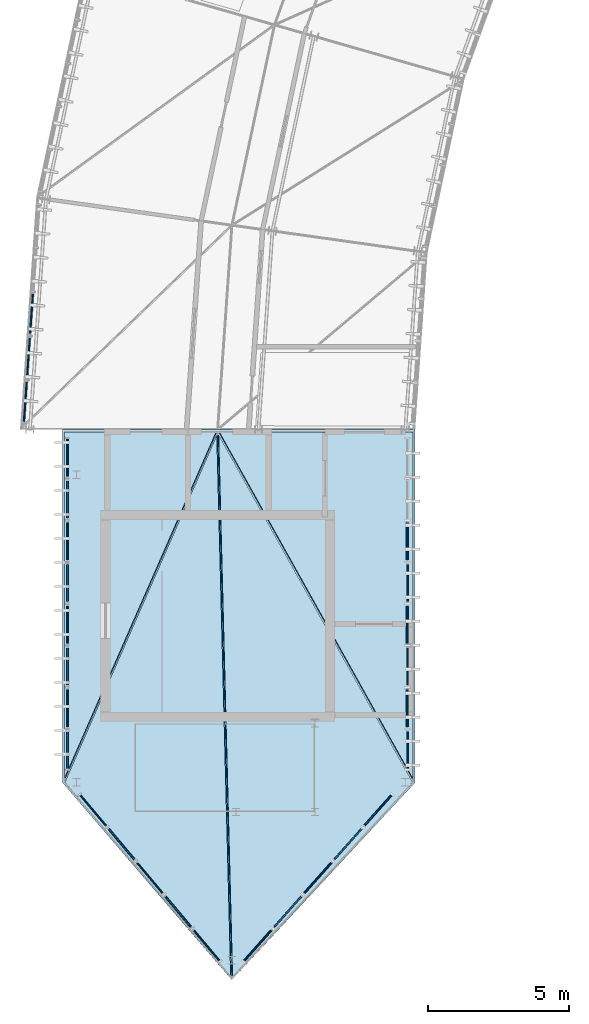
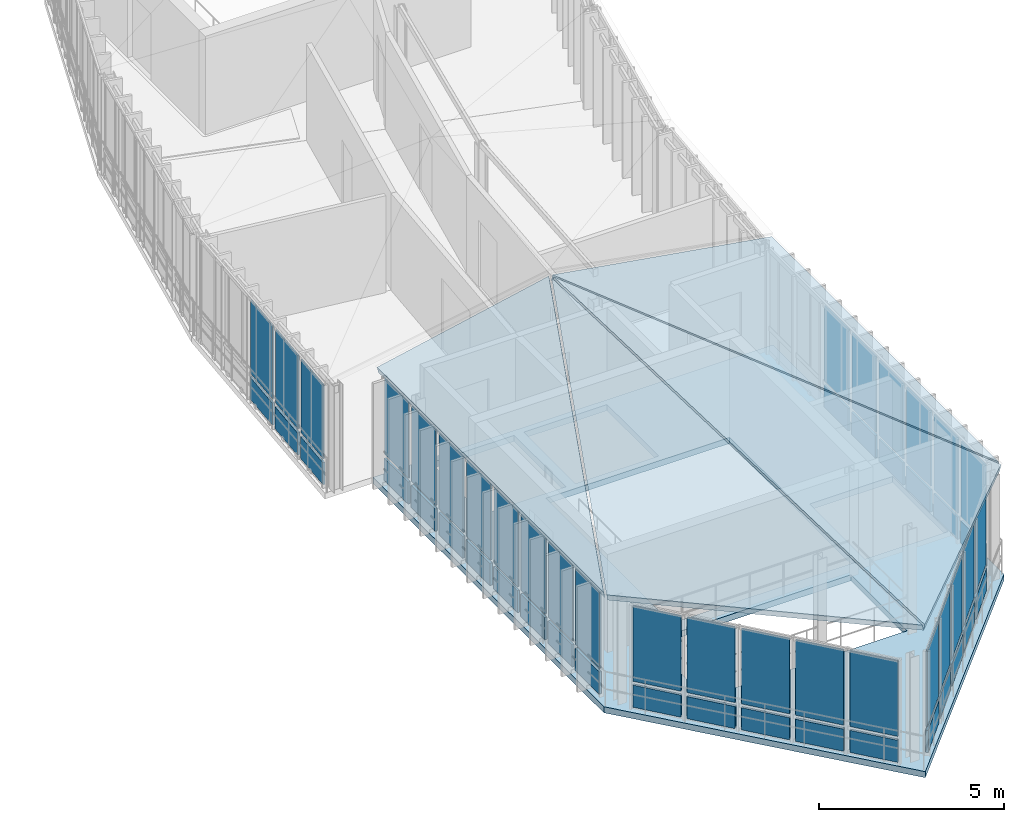
# One storey, part 6 of 18: 54 plates, 5 slabs, 5 elements without a shape of their own.
"""IFC4 building model written with IfcOpenShell, lengths in metres."""

from ifc_helpers import new_model, si_unit, direction, frame, origin, origin_2d, place, context, subcontext, project, spatial, polyline, rectangle, outline, extrude, material, layer, layer_set, type_object, element, aggregate, save


model = new_model("IFC4")

# Units and contexts
model_context = context("Model", 3, precision=1e-05, world=origin(), true_north=direction((0.0, 1.0)))
body_context = subcontext(model_context, "Body", "Model", "MODEL_VIEW")
ifc_project = project(units=[si_unit("LENGTHUNIT", "METRE"), si_unit("AREAUNIT", "SQUARE_METRE"), si_unit("VOLUMEUNIT", "CUBIC_METRE"), si_unit("PLANEANGLEUNIT", "RADIAN"), si_unit("MASSUNIT", "GRAM", prefix="KILO"), si_unit("THERMODYNAMICTEMPERATUREUNIT", "KELVIN"), si_unit("POWERUNIT", "WATT")], contexts=[model_context])

# Site, building, storey
site_placement = place(None, origin())
site = spatial("IfcSite", under=ifc_project, at=site_placement, CompositionType="ELEMENT")
building_placement = place(site_placement, origin())
building = spatial("IfcBuilding", under=site, at=building_placement, Name="Solvatero Civic Police Headquarters", CompositionType="ELEMENT")
storey_placement = place(building_placement, frame((0.0, 0.0, 29.39990234375)))
storey = spatial("IfcBuildingStorey", under=building, at=storey_placement, Name="L07", CompositionType="ELEMENT", Elevation=29.39990234375)

# Curtain wall, plates
ifc_material_1 = material(Name="Anodized Bronze Aluminium", Category="aluminium")
ifc_layer_1 = layer(ifc_material_1, 0.179931640625)
ifc_layer_set_1 = layer_set([ifc_layer_1], Name="Anodized Bronze Aluminium")
curtain_wall_type_1 = type_object("IfcCurtainWallType", Name="CW-ARC-OUT", PredefinedType="USERDEFINED", material=ifc_layer_set_1)
curtain_wall_1_placement = place(storey_placement, origin())
curtain_wall_1 = element("IfcCurtainWall", 1, at=curtain_wall_1_placement, inside=storey, type_object=curtain_wall_type_1, Name="Curtain Wall CW-R2-L07-ARC-OUT-B12", ObjectType="UNITISED", PredefinedType="USERDEFINED")
ifc_material_2 = material(Name="Triple Low-E Laminated Glass", Category="glass")
ifc_layer_2 = layer(ifc_material_2, 0.0380859375)
ifc_layer_set_2 = layer_set([ifc_layer_2], Name="Triple Low-E Laminated Glass")
plate_type_1 = type_object("IfcPlateType", Name="CWP-GLZ-38", PredefinedType="CURTAIN_PANEL", material=ifc_layer_set_2)
plate_1_placement = place(storey_placement, frame((35.406494140625, 30.097412109375, 0.909912109375), z_axis=(0.0, 0.0, 1.0), x_axis=(-0.069739062956, -0.997565267588, 0.0)))
plate_1 = element("IfcPlate", 2, at=plate_1_placement, type_object=plate_type_1, Name="CW-R2-L07-ARC-OUT-B12 Vision Glazing 3", PredefinedType="CURTAIN_PANEL", context=body_context, shape_type="SweptSolid", body=[
    extrude(rectangle(XDim=1.384521484375, YDim=0.0380859375, at=origin_2d()), origin(), (0.0, 0.0, 1.0), 2.42333984375),
])
plate_2_placement = place(storey_placement, frame((35.188232421875, 26.975830078125, 0.909912109375), z_axis=(0.0, 0.0, 1.0), x_axis=(-0.069739062956, -0.997565267588, 0.0)))
plate_2 = element("IfcPlate", 3, at=plate_2_placement, type_object=plate_type_1, Name="CW-R2-L07-ARC-OUT-B12 Vision Glazing 5", PredefinedType="CURTAIN_PANEL", context=body_context, shape_type="SweptSolid", body=[
    extrude(rectangle(XDim=1.384521484375, YDim=0.0380859375, at=origin_2d()), origin(), (0.0, 0.0, 1.0), 2.42333984375),
])

ifc_layer_3 = layer(ifc_material_1, 0.179931640625)
ifc_layer_set_3 = layer_set([ifc_layer_3], Name="Anodized Bronze Aluminium")
curtain_wall_type_2 = type_object("IfcCurtainWallType", Name="CW-PROW-GLZ", PredefinedType="USERDEFINED", material=ifc_layer_set_3)
curtain_wall_2_placement = place(storey_placement, origin())
curtain_wall_2 = element("IfcCurtainWall", 4, at=curtain_wall_2_placement, inside=storey, type_object=curtain_wall_type_2, Name="Curtain Wall CW-R2-L07-PROW-W", ObjectType="UNITISED", PredefinedType="USERDEFINED")
plate_3_placement = place(storey_placement, frame((36.679931640625, 25.00048828125, 0.91015625), z_axis=(0.0, 0.0, 1.0), x_axis=(0.0, -1.0, 0.0)))
plate_3 = element("IfcPlate", 5, at=plate_3_placement, type_object=plate_type_1, Name="CW-R2-L07-PROW-W Vision Glazing 1", PredefinedType="CURTAIN_PANEL", context=body_context, shape_type="SweptSolid", body=[
    extrude(rectangle(XDim=1.298583984375, YDim=0.0380859375, at=origin_2d()), origin(), (0.0, 0.0, 1.0), 2.489990234375),
])
plate_4_placement = place(storey_placement, frame((36.679931640625, 22.043212890625, 0.91015625), z_axis=(0.0, 0.0, 1.0), x_axis=(0.0, -1.0, 0.0)))
plate_4 = element("IfcPlate", 6, at=plate_4_placement, type_object=plate_type_1, Name="CW-R2-L07-PROW-W Vision Glazing 3", PredefinedType="CURTAIN_PANEL", context=body_context, shape_type="SweptSolid", body=[
    extrude(rectangle(XDim=1.298828125, YDim=0.0380859375, at=origin_2d()), origin(), (0.0, 0.0, 1.0), 2.489990234375),
])
plate_5_placement = place(storey_placement, frame((36.679931640625, 19.085693359375, 0.91015625), z_axis=(0.0, 0.0, 1.0), x_axis=(0.0, -1.0, 0.0)))
plate_5 = element("IfcPlate", 7, at=plate_5_placement, type_object=plate_type_1, Name="CW-R2-L07-PROW-W Vision Glazing 5", PredefinedType="CURTAIN_PANEL", context=body_context, shape_type="SweptSolid", body=[
    extrude(rectangle(XDim=1.298828125, YDim=0.0380859375, at=origin_2d()), origin(), (0.0, 0.0, 1.0), 2.489990234375),
])
plate_6_placement = place(storey_placement, frame((36.679931640625, 16.128173828125, 0.91015625), z_axis=(0.0, 0.0, 1.0), x_axis=(0.0, -1.0, 0.0)))
plate_6 = element("IfcPlate", 8, at=plate_6_placement, type_object=plate_type_1, Name="CW-R2-L07-PROW-W Vision Glazing 7", PredefinedType="CURTAIN_PANEL", context=body_context, shape_type="SweptSolid", body=[
    extrude(rectangle(XDim=1.298828125, YDim=0.0380859375, at=origin_2d()), origin(), (0.0, 0.0, 1.0), 2.489990234375),
])

curtain_wall_3_placement = place(storey_placement, origin())
curtain_wall_3 = element("IfcCurtainWall", 9, at=curtain_wall_3_placement, inside=storey, type_object=curtain_wall_type_2, Name="Curtain Wall CW-R2-L07-PROW-E", ObjectType="UNITISED", PredefinedType="USERDEFINED")
plate_7_placement = place(storey_placement, frame((48.719970703125, 16.128173828125, 0.91015625), z_axis=(0.0, 0.0, 1.0), x_axis=(0.0, 1.0, 0.0)))
plate_7 = element("IfcPlate", 10, at=plate_7_placement, type_object=plate_type_1, Name="CW-R2-L07-PROW-E Vision Glazing 2", PredefinedType="CURTAIN_PANEL", context=body_context, shape_type="SweptSolid", body=[
    extrude(rectangle(XDim=1.298583984375, YDim=0.0380859375, at=origin_2d()), origin(), (0.0, 0.0, 1.0), 2.489990234375),
])
plate_8_placement = place(storey_placement, frame((48.719970703125, 19.085693359375, 0.91015625), z_axis=(0.0, 0.0, 1.0), x_axis=(0.0, 1.0, 0.0)))
plate_8 = element("IfcPlate", 11, at=plate_8_placement, type_object=plate_type_1, Name="CW-R2-L07-PROW-E Vision Glazing 4", PredefinedType="CURTAIN_PANEL", context=body_context, shape_type="SweptSolid", body=[
    extrude(rectangle(XDim=1.298828125, YDim=0.0380859375, at=origin_2d()), origin(), (0.0, 0.0, 1.0), 2.489990234375),
])
plate_9_placement = place(storey_placement, frame((48.719970703125, 22.043212890625, 0.91015625), z_axis=(0.0, 0.0, 1.0), x_axis=(0.0, 1.0, 0.0)))
plate_9 = element("IfcPlate", 12, at=plate_9_placement, type_object=plate_type_1, Name="CW-R2-L07-PROW-E Vision Glazing 6", PredefinedType="CURTAIN_PANEL", context=body_context, shape_type="SweptSolid", body=[
    extrude(rectangle(XDim=1.298828125, YDim=0.0380859375, at=origin_2d()), origin(), (0.0, 0.0, 1.0), 2.489990234375),
])

curtain_wall_4_placement = place(storey_placement, origin())
curtain_wall_4 = element("IfcCurtainWall", 13, at=curtain_wall_4_placement, inside=storey, type_object=curtain_wall_type_2, Name="Curtain Wall CW-R2-L07-PROW-SW", ObjectType="UNITISED", PredefinedType="USERDEFINED")
plate_10_placement = place(storey_placement, frame((37.5908203125, 12.50634765625, 0.91015625), z_axis=(0.0, 0.0, 1.0), x_axis=(0.643282165541, -0.765629189293, 0.0)))
plate_10 = element("IfcPlate", 14, at=plate_10_placement, type_object=plate_type_1, Name="CW-R2-L07-PROW-SW Vision Glazing 1", PredefinedType="CURTAIN_PANEL", context=body_context, shape_type="SweptSolid", body=[
    extrude(rectangle(XDim=1.381591796875, YDim=0.0380859375, at=origin_2d()), origin(), (0.0, 0.0, 1.0), 2.489990234375),
])
plate_11_placement = place(storey_placement, frame((39.60009765625, 10.114990234375, 0.91015625), z_axis=(0.0, 0.0, 1.0), x_axis=(0.643282165541, -0.765629189293, 0.0)))
plate_11 = element("IfcPlate", 15, at=plate_11_placement, type_object=plate_type_1, Name="CW-R2-L07-PROW-SW Vision Glazing 3", PredefinedType="CURTAIN_PANEL", context=body_context, shape_type="SweptSolid", body=[
    extrude(rectangle(XDim=1.381591796875, YDim=0.0380859375, at=origin_2d()), origin(), (0.0, 0.0, 1.0), 2.489990234375),
])
plate_12_placement = place(storey_placement, frame((41.609130859375, 7.723876953125, 0.91015625), z_axis=(0.0, 0.0, 1.0), x_axis=(0.643282165541, -0.765629189293, 0.0)))
plate_12 = element("IfcPlate", 16, at=plate_12_placement, type_object=plate_type_1, Name="CW-R2-L07-PROW-SW Vision Glazing 5", PredefinedType="CURTAIN_PANEL", context=body_context, shape_type="SweptSolid", body=[
    extrude(rectangle(XDim=1.381591796875, YDim=0.0380859375, at=origin_2d()), origin(), (0.0, 0.0, 1.0), 2.489990234375),
])

curtain_wall_5_placement = place(storey_placement, origin())
curtain_wall_5 = element("IfcCurtainWall", 17, at=curtain_wall_5_placement, inside=storey, type_object=curtain_wall_type_2, Name="Curtain Wall CW-R2-L07-PROW-SE", ObjectType="UNITISED", PredefinedType="USERDEFINED")
plate_13_placement = place(storey_placement, frame((44.486083984375, 8.9189453125, 0.91015625), z_axis=(0.0, 0.0, 1.0), x_axis=(0.664656781592, 0.747148822313, 0.0)))
plate_13 = element("IfcPlate", 18, at=plate_13_placement, type_object=plate_type_1, Name="CW-R2-L07-PROW-SE Vision Glazing 2", PredefinedType="CURTAIN_PANEL", context=body_context, shape_type="SweptSolid", body=[
    extrude(rectangle(XDim=1.4208984375, YDim=0.0380859375, at=origin_2d()), origin(), (0.0, 0.0, 1.0), 2.489990234375),
])
plate_14_placement = place(storey_placement, frame((46.614013671875, 11.31103515625, 0.91015625), z_axis=(0.0, 0.0, 1.0), x_axis=(0.664656781592, 0.747148822313, 0.0)))
plate_14 = element("IfcPlate", 19, at=plate_14_placement, type_object=plate_type_1, Name="CW-R2-L07-PROW-SE Vision Glazing 4", PredefinedType="CURTAIN_PANEL", context=body_context, shape_type="SweptSolid", body=[
    extrude(rectangle(XDim=1.4208984375, YDim=0.0380859375, at=origin_2d()), origin(), (0.0, 0.0, 1.0), 2.489990234375),
])

# Plate
ifc_material_3 = material(Name="Acoustic Ballistic Laminated Glass", Category="glass")
ifc_layer_4 = layer(ifc_material_3, 0.0439453125)
ifc_layer_set_4 = layer_set([ifc_layer_4], Name="Acoustic Ballistic Laminated Glass")
plate_type_2 = type_object("IfcPlateType", Name="CWP-GLZ-44", PredefinedType="CURTAIN_PANEL", material=ifc_layer_set_4)
plate_15_placement = place(storey_placement, frame((35.29736328125, 28.53662109375, 0.909912109375), z_axis=(0.0, 0.0, 1.0), x_axis=(-0.069739062956, -0.997565267588, 0.0)))
plate_15 = element("IfcPlate", 20, at=plate_15_placement, type_object=plate_type_2, Name="CW-R2-L07-ARC-OUT-B12 Vision Glazing 4", PredefinedType="CURTAIN_PANEL", context=body_context, shape_type="SweptSolid", body=[
    extrude(rectangle(XDim=1.384521484375, YDim=0.0439453125, at=origin_2d()), origin(), (0.0, 0.0, 1.0), 2.42333984375),
])

plate_16_placement = place(storey_placement, frame((36.679931640625, 23.52197265625, 0.91015625), z_axis=(0.0, 0.0, 1.0), x_axis=(0.0, -1.0, 0.0)))
plate_16 = element("IfcPlate", 21, at=plate_16_placement, type_object=plate_type_2, Name="CW-R2-L07-PROW-W Vision Glazing 2", PredefinedType="CURTAIN_PANEL", context=body_context, shape_type="SweptSolid", body=[
    extrude(rectangle(XDim=1.298583984375, YDim=0.0439453125, at=origin_2d()), origin(), (0.0, 0.0, 1.0), 2.489990234375),
])

plate_17_placement = place(storey_placement, frame((36.679931640625, 20.564453125, 0.91015625), z_axis=(0.0, 0.0, 1.0), x_axis=(0.0, -1.0, 0.0)))
plate_17 = element("IfcPlate", 22, at=plate_17_placement, type_object=plate_type_2, Name="CW-R2-L07-PROW-W Vision Glazing 4", PredefinedType="CURTAIN_PANEL", context=body_context, shape_type="SweptSolid", body=[
    extrude(rectangle(XDim=1.298828125, YDim=0.0439453125, at=origin_2d()), origin(), (0.0, 0.0, 1.0), 2.489990234375),
])

plate_18_placement = place(storey_placement, frame((36.679931640625, 17.60693359375, 0.91015625), z_axis=(0.0, 0.0, 1.0), x_axis=(0.0, -1.0, 0.0)))
plate_18 = element("IfcPlate", 23, at=plate_18_placement, type_object=plate_type_2, Name="CW-R2-L07-PROW-W Vision Glazing 6", PredefinedType="CURTAIN_PANEL", context=body_context, shape_type="SweptSolid", body=[
    extrude(rectangle(XDim=1.298828125, YDim=0.0439453125, at=origin_2d()), origin(), (0.0, 0.0, 1.0), 2.489990234375),
])

plate_19_placement = place(storey_placement, frame((36.679931640625, 14.6494140625, 0.91015625), z_axis=(0.0, 0.0, 1.0), x_axis=(0.0, -1.0, 0.0)))
plate_19 = element("IfcPlate", 24, at=plate_19_placement, type_object=plate_type_2, Name="CW-R2-L07-PROW-W Vision Glazing 8", PredefinedType="CURTAIN_PANEL", context=body_context, shape_type="SweptSolid", body=[
    extrude(rectangle(XDim=1.298828125, YDim=0.0439453125, at=origin_2d()), origin(), (0.0, 0.0, 1.0), 2.489990234375),
])

plate_20_placement = place(storey_placement, frame((48.719970703125, 14.6494140625, 0.91015625), z_axis=(0.0, 0.0, 1.0), x_axis=(0.0, 1.0, 0.0)))
plate_20 = element("IfcPlate", 25, at=plate_20_placement, type_object=plate_type_2, Name="CW-R2-L07-PROW-E Vision Glazing 1", PredefinedType="CURTAIN_PANEL", context=body_context, shape_type="SweptSolid", body=[
    extrude(rectangle(XDim=1.298583984375, YDim=0.0439453125, at=origin_2d()), origin(), (0.0, 0.0, 1.0), 2.489990234375),
])

plate_21_placement = place(storey_placement, frame((48.719970703125, 17.60693359375, 0.91015625), z_axis=(0.0, 0.0, 1.0), x_axis=(0.0, 1.0, 0.0)))
plate_21 = element("IfcPlate", 26, at=plate_21_placement, type_object=plate_type_2, Name="CW-R2-L07-PROW-E Vision Glazing 3", PredefinedType="CURTAIN_PANEL", context=body_context, shape_type="SweptSolid", body=[
    extrude(rectangle(XDim=1.298828125, YDim=0.0439453125, at=origin_2d()), origin(), (0.0, 0.0, 1.0), 2.489990234375),
])

plate_22_placement = place(storey_placement, frame((48.719970703125, 20.564453125, 0.91015625), z_axis=(0.0, 0.0, 1.0), x_axis=(0.0, 1.0, 0.0)))
plate_22 = element("IfcPlate", 27, at=plate_22_placement, type_object=plate_type_2, Name="CW-R2-L07-PROW-E Vision Glazing 5", PredefinedType="CURTAIN_PANEL", context=body_context, shape_type="SweptSolid", body=[
    extrude(rectangle(XDim=1.298828125, YDim=0.0439453125, at=origin_2d()), origin(), (0.0, 0.0, 1.0), 2.489990234375),
])

plate_23_placement = place(storey_placement, frame((38.595458984375, 11.310791015625, 0.91015625), z_axis=(0.0, 0.0, 1.0), x_axis=(0.643282165541, -0.765629189293, 0.0)))
plate_23 = element("IfcPlate", 28, at=plate_23_placement, type_object=plate_type_2, Name="CW-R2-L07-PROW-SW Vision Glazing 2", PredefinedType="CURTAIN_PANEL", context=body_context, shape_type="SweptSolid", body=[
    extrude(rectangle(XDim=1.381591796875, YDim=0.0439453125, at=origin_2d()), origin(), (0.0, 0.0, 1.0), 2.489990234375),
])

plate_24_placement = place(storey_placement, frame((40.6044921875, 8.91943359375, 0.91015625), z_axis=(0.0, 0.0, 1.0), x_axis=(0.643282165541, -0.765629189293, 0.0)))
plate_24 = element("IfcPlate", 29, at=plate_24_placement, type_object=plate_type_2, Name="CW-R2-L07-PROW-SW Vision Glazing 4", PredefinedType="CURTAIN_PANEL", context=body_context, shape_type="SweptSolid", body=[
    extrude(rectangle(XDim=1.381591796875, YDim=0.0439453125, at=origin_2d()), origin(), (0.0, 0.0, 1.0), 2.489990234375),
])

plate_25_placement = place(storey_placement, frame((43.421875, 7.722900390625, 0.91015625), z_axis=(0.0, 0.0, 1.0), x_axis=(0.664656781592, 0.747148822313, 0.0)))
plate_25 = element("IfcPlate", 30, at=plate_25_placement, type_object=plate_type_2, Name="CW-R2-L07-PROW-SE Vision Glazing 1", PredefinedType="CURTAIN_PANEL", context=body_context, shape_type="SweptSolid", body=[
    extrude(rectangle(XDim=1.4208984375, YDim=0.0439453125, at=origin_2d()), origin(), (0.0, 0.0, 1.0), 2.489990234375),
])

plate_26_placement = place(storey_placement, frame((45.550048828125, 10.114990234375, 0.91015625), z_axis=(0.0, 0.0, 1.0), x_axis=(0.664656781592, 0.747148822313, 0.0)))
plate_26 = element("IfcPlate", 31, at=plate_26_placement, type_object=plate_type_2, Name="CW-R2-L07-PROW-SE Vision Glazing 3", PredefinedType="CURTAIN_PANEL", context=body_context, shape_type="SweptSolid", body=[
    extrude(rectangle(XDim=1.4208984375, YDim=0.0439453125, at=origin_2d()), origin(), (0.0, 0.0, 1.0), 2.489990234375),
])

plate_27_placement = place(storey_placement, frame((47.677978515625, 12.507080078125, 0.91015625), z_axis=(0.0, 0.0, 1.0), x_axis=(0.664656781592, 0.747148822313, 0.0)))
plate_27 = element("IfcPlate", 32, at=plate_27_placement, type_object=plate_type_2, Name="CW-R2-L07-PROW-SE Vision Glazing 5", PredefinedType="CURTAIN_PANEL", context=body_context, shape_type="SweptSolid", body=[
    extrude(rectangle(XDim=1.4208984375, YDim=0.0439453125, at=origin_2d()), origin(), (0.0, 0.0, 1.0), 2.489990234375),
])

ifc_material_4 = material(Name="Insulated Bronze Aluminium Spandrel", Category="aluminium")
ifc_layer_5 = layer(ifc_material_4, 0.06005859375)
ifc_layer_set_5 = layer_set([ifc_layer_5], Name="Insulated Bronze Aluminium Spandrel")
plate_type_3 = type_object("IfcPlateType", Name="CWP-SPN-60", PredefinedType="CURTAIN_PANEL", material=ifc_layer_set_5)
plate_28_placement = place(storey_placement, frame((35.406494140625, 30.097412109375, 0.06005859375), z_axis=(0.0, 0.0, 1.0), x_axis=(-0.069739062956, -0.997565267588, 0.0)))
plate_28 = element("IfcPlate", 33, at=plate_28_placement, type_object=plate_type_3, Name="CW-R2-L07-ARC-OUT-B12 Spandrel Panel 3", PredefinedType="CURTAIN_PANEL", context=body_context, shape_type="SweptSolid", body=[
    extrude(rectangle(XDim=1.384521484375, YDim=0.06005859375, at=origin_2d()), origin(), (0.0, 0.0, 1.0), 0.72998046875),
])

plate_29_placement = place(storey_placement, frame((35.188232421875, 26.975830078125, 0.06005859375), z_axis=(0.0, 0.0, 1.0), x_axis=(-0.069739062956, -0.997565267588, 0.0)))
plate_29 = element("IfcPlate", 34, at=plate_29_placement, type_object=plate_type_3, Name="CW-R2-L07-ARC-OUT-B12 Spandrel Panel 5", PredefinedType="CURTAIN_PANEL", context=body_context, shape_type="SweptSolid", body=[
    extrude(rectangle(XDim=1.384521484375, YDim=0.06005859375, at=origin_2d()), origin(), (0.0, 0.0, 1.0), 0.72998046875),
])

plate_30_placement = place(storey_placement, frame((36.679931640625, 25.00048828125, 0.06005859375), z_axis=(0.0, 0.0, 1.0), x_axis=(0.0, -1.0, 0.0)))
plate_30 = element("IfcPlate", 35, at=plate_30_placement, type_object=plate_type_3, Name="CW-R2-L07-PROW-W Spandrel Panel 1", PredefinedType="CURTAIN_PANEL", context=body_context, shape_type="SweptSolid", body=[
    extrude(rectangle(XDim=1.298583984375, YDim=0.06005859375, at=origin_2d()), origin(), (0.0, 0.0, 1.0), 0.72998046875),
])

plate_31_placement = place(storey_placement, frame((36.679931640625, 22.043212890625, 0.06005859375), z_axis=(0.0, 0.0, 1.0), x_axis=(0.0, -1.0, 0.0)))
plate_31 = element("IfcPlate", 36, at=plate_31_placement, type_object=plate_type_3, Name="CW-R2-L07-PROW-W Spandrel Panel 3", PredefinedType="CURTAIN_PANEL", context=body_context, shape_type="SweptSolid", body=[
    extrude(rectangle(XDim=1.298828125, YDim=0.06005859375, at=origin_2d()), origin(), (0.0, 0.0, 1.0), 0.72998046875),
])

plate_32_placement = place(storey_placement, frame((36.679931640625, 19.085693359375, 0.06005859375), z_axis=(0.0, 0.0, 1.0), x_axis=(0.0, -1.0, 0.0)))
plate_32 = element("IfcPlate", 37, at=plate_32_placement, type_object=plate_type_3, Name="CW-R2-L07-PROW-W Spandrel Panel 5", PredefinedType="CURTAIN_PANEL", context=body_context, shape_type="SweptSolid", body=[
    extrude(rectangle(XDim=1.298828125, YDim=0.06005859375, at=origin_2d()), origin(), (0.0, 0.0, 1.0), 0.72998046875),
])

plate_33_placement = place(storey_placement, frame((36.679931640625, 16.128173828125, 0.06005859375), z_axis=(0.0, 0.0, 1.0), x_axis=(0.0, -1.0, 0.0)))
plate_33 = element("IfcPlate", 38, at=plate_33_placement, type_object=plate_type_3, Name="CW-R2-L07-PROW-W Spandrel Panel 7", PredefinedType="CURTAIN_PANEL", context=body_context, shape_type="SweptSolid", body=[
    extrude(rectangle(XDim=1.298828125, YDim=0.06005859375, at=origin_2d()), origin(), (0.0, 0.0, 1.0), 0.72998046875),
])

plate_34_placement = place(storey_placement, frame((48.719970703125, 16.128173828125, 0.06005859375), z_axis=(0.0, 0.0, 1.0), x_axis=(0.0, 1.0, 0.0)))
plate_34 = element("IfcPlate", 39, at=plate_34_placement, type_object=plate_type_3, Name="CW-R2-L07-PROW-E Spandrel Panel 2", PredefinedType="CURTAIN_PANEL", context=body_context, shape_type="SweptSolid", body=[
    extrude(rectangle(XDim=1.298583984375, YDim=0.06005859375, at=origin_2d()), origin(), (0.0, 0.0, 1.0), 0.72998046875),
])

plate_35_placement = place(storey_placement, frame((48.719970703125, 19.085693359375, 0.06005859375), z_axis=(0.0, 0.0, 1.0), x_axis=(0.0, 1.0, 0.0)))
plate_35 = element("IfcPlate", 40, at=plate_35_placement, type_object=plate_type_3, Name="CW-R2-L07-PROW-E Spandrel Panel 4", PredefinedType="CURTAIN_PANEL", context=body_context, shape_type="SweptSolid", body=[
    extrude(rectangle(XDim=1.298828125, YDim=0.06005859375, at=origin_2d()), origin(), (0.0, 0.0, 1.0), 0.72998046875),
])

plate_36_placement = place(storey_placement, frame((48.719970703125, 22.043212890625, 0.06005859375), z_axis=(0.0, 0.0, 1.0), x_axis=(0.0, 1.0, 0.0)))
plate_36 = element("IfcPlate", 41, at=plate_36_placement, type_object=plate_type_3, Name="CW-R2-L07-PROW-E Spandrel Panel 6", PredefinedType="CURTAIN_PANEL", context=body_context, shape_type="SweptSolid", body=[
    extrude(rectangle(XDim=1.298828125, YDim=0.06005859375, at=origin_2d()), origin(), (0.0, 0.0, 1.0), 0.72998046875),
])

plate_37_placement = place(storey_placement, frame((37.5908203125, 12.50634765625, 0.06005859375), z_axis=(0.0, 0.0, 1.0), x_axis=(0.643282165541, -0.765629189293, 0.0)))
plate_37 = element("IfcPlate", 42, at=plate_37_placement, type_object=plate_type_3, Name="CW-R2-L07-PROW-SW Spandrel Panel 1", PredefinedType="CURTAIN_PANEL", context=body_context, shape_type="SweptSolid", body=[
    extrude(rectangle(XDim=1.381591796875, YDim=0.06005859375, at=origin_2d()), origin(), (0.0, 0.0, 1.0), 0.72998046875),
])

plate_38_placement = place(storey_placement, frame((39.60009765625, 10.114990234375, 0.06005859375), z_axis=(0.0, 0.0, 1.0), x_axis=(0.643282165541, -0.765629189293, 0.0)))
plate_38 = element("IfcPlate", 43, at=plate_38_placement, type_object=plate_type_3, Name="CW-R2-L07-PROW-SW Spandrel Panel 3", PredefinedType="CURTAIN_PANEL", context=body_context, shape_type="SweptSolid", body=[
    extrude(rectangle(XDim=1.381591796875, YDim=0.06005859375, at=origin_2d()), origin(), (0.0, 0.0, 1.0), 0.72998046875),
])

plate_39_placement = place(storey_placement, frame((41.609130859375, 7.723876953125, 0.06005859375), z_axis=(0.0, 0.0, 1.0), x_axis=(0.643282165541, -0.765629189293, 0.0)))
plate_39 = element("IfcPlate", 44, at=plate_39_placement, type_object=plate_type_3, Name="CW-R2-L07-PROW-SW Spandrel Panel 5", PredefinedType="CURTAIN_PANEL", context=body_context, shape_type="SweptSolid", body=[
    extrude(rectangle(XDim=1.381591796875, YDim=0.06005859375, at=origin_2d()), origin(), (0.0, 0.0, 1.0), 0.72998046875),
])

plate_40_placement = place(storey_placement, frame((44.486083984375, 8.9189453125, 0.06005859375), z_axis=(0.0, 0.0, 1.0), x_axis=(0.664656781592, 0.747148822313, 0.0)))
plate_40 = element("IfcPlate", 45, at=plate_40_placement, type_object=plate_type_3, Name="CW-R2-L07-PROW-SE Spandrel Panel 2", PredefinedType="CURTAIN_PANEL", context=body_context, shape_type="SweptSolid", body=[
    extrude(rectangle(XDim=1.4208984375, YDim=0.06005859375, at=origin_2d()), origin(), (0.0, 0.0, 1.0), 0.72998046875),
])

plate_41_placement = place(storey_placement, frame((46.614013671875, 11.31103515625, 0.06005859375), z_axis=(0.0, 0.0, 1.0), x_axis=(0.664656781592, 0.747148822313, 0.0)))
plate_41 = element("IfcPlate", 46, at=plate_41_placement, type_object=plate_type_3, Name="CW-R2-L07-PROW-SE Spandrel Panel 4", PredefinedType="CURTAIN_PANEL", context=body_context, shape_type="SweptSolid", body=[
    extrude(rectangle(XDim=1.4208984375, YDim=0.06005859375, at=origin_2d()), origin(), (0.0, 0.0, 1.0), 0.72998046875),
])

ifc_material_5 = material(Name="Limestone Veneer Spandrel Panel", Category="masonry")
ifc_layer_6 = layer(ifc_material_5, 0.074951171875)
ifc_layer_set_6 = layer_set([ifc_layer_6], Name="Limestone Veneer Spandrel Panel")
plate_type_4 = type_object("IfcPlateType", Name="CWP-SPN-75", PredefinedType="CURTAIN_PANEL", material=ifc_layer_set_6)
plate_42_placement = place(storey_placement, frame((35.29736328125, 28.53662109375, 0.06005859375), z_axis=(0.0, 0.0, 1.0), x_axis=(-0.069739062956, -0.997565267588, 0.0)))
plate_42 = element("IfcPlate", 47, at=plate_42_placement, type_object=plate_type_4, Name="CW-R2-L07-ARC-OUT-B12 Spandrel Panel 4", PredefinedType="CURTAIN_PANEL", context=body_context, shape_type="SweptSolid", body=[
    extrude(rectangle(XDim=1.384521484375, YDim=0.074951171875, at=origin_2d()), origin(), (0.0, 0.0, 1.0), 0.72998046875),
])

aggregate(curtain_wall_1, [plate_28, plate_1, plate_42, plate_15, plate_29, plate_2])

plate_43_placement = place(storey_placement, frame((36.679931640625, 23.52197265625, 0.06005859375), z_axis=(0.0, 0.0, 1.0), x_axis=(0.0, -1.0, 0.0)))
plate_43 = element("IfcPlate", 48, at=plate_43_placement, type_object=plate_type_4, Name="CW-R2-L07-PROW-W Spandrel Panel 2", PredefinedType="CURTAIN_PANEL", context=body_context, shape_type="SweptSolid", body=[
    extrude(rectangle(XDim=1.298583984375, YDim=0.074951171875, at=origin_2d()), origin(), (0.0, 0.0, 1.0), 0.72998046875),
])

plate_44_placement = place(storey_placement, frame((36.679931640625, 20.564453125, 0.06005859375), z_axis=(0.0, 0.0, 1.0), x_axis=(0.0, -1.0, 0.0)))
plate_44 = element("IfcPlate", 49, at=plate_44_placement, type_object=plate_type_4, Name="CW-R2-L07-PROW-W Spandrel Panel 4", PredefinedType="CURTAIN_PANEL", context=body_context, shape_type="SweptSolid", body=[
    extrude(rectangle(XDim=1.298828125, YDim=0.074951171875, at=origin_2d()), origin(), (0.0, 0.0, 1.0), 0.72998046875),
])

plate_45_placement = place(storey_placement, frame((36.679931640625, 17.60693359375, 0.06005859375), z_axis=(0.0, 0.0, 1.0), x_axis=(0.0, -1.0, 0.0)))
plate_45 = element("IfcPlate", 50, at=plate_45_placement, type_object=plate_type_4, Name="CW-R2-L07-PROW-W Spandrel Panel 6", PredefinedType="CURTAIN_PANEL", context=body_context, shape_type="SweptSolid", body=[
    extrude(rectangle(XDim=1.298828125, YDim=0.074951171875, at=origin_2d()), origin(), (0.0, 0.0, 1.0), 0.72998046875),
])

plate_46_placement = place(storey_placement, frame((36.679931640625, 14.6494140625, 0.06005859375), z_axis=(0.0, 0.0, 1.0), x_axis=(0.0, -1.0, 0.0)))
plate_46 = element("IfcPlate", 51, at=plate_46_placement, type_object=plate_type_4, Name="CW-R2-L07-PROW-W Spandrel Panel 8", PredefinedType="CURTAIN_PANEL", context=body_context, shape_type="SweptSolid", body=[
    extrude(rectangle(XDim=1.298828125, YDim=0.074951171875, at=origin_2d()), origin(), (0.0, 0.0, 1.0), 0.72998046875),
])

aggregate(curtain_wall_2, [plate_30, plate_3, plate_43, plate_16, plate_31, plate_4, plate_44, plate_17, plate_32, plate_5, plate_45, plate_18, plate_33, plate_6, plate_46, plate_19])

plate_47_placement = place(storey_placement, frame((48.719970703125, 14.6494140625, 0.06005859375), z_axis=(0.0, 0.0, 1.0), x_axis=(0.0, 1.0, 0.0)))
plate_47 = element("IfcPlate", 52, at=plate_47_placement, type_object=plate_type_4, Name="CW-R2-L07-PROW-E Spandrel Panel 1", PredefinedType="CURTAIN_PANEL", context=body_context, shape_type="SweptSolid", body=[
    extrude(rectangle(XDim=1.298583984375, YDim=0.074951171875, at=origin_2d()), origin(), (0.0, 0.0, 1.0), 0.72998046875),
])

plate_48_placement = place(storey_placement, frame((48.719970703125, 17.60693359375, 0.06005859375), z_axis=(0.0, 0.0, 1.0), x_axis=(0.0, 1.0, 0.0)))
plate_48 = element("IfcPlate", 53, at=plate_48_placement, type_object=plate_type_4, Name="CW-R2-L07-PROW-E Spandrel Panel 3", PredefinedType="CURTAIN_PANEL", context=body_context, shape_type="SweptSolid", body=[
    extrude(rectangle(XDim=1.298828125, YDim=0.074951171875, at=origin_2d()), origin(), (0.0, 0.0, 1.0), 0.72998046875),
])

plate_49_placement = place(storey_placement, frame((48.719970703125, 20.564453125, 0.06005859375), z_axis=(0.0, 0.0, 1.0), x_axis=(0.0, 1.0, 0.0)))
plate_49 = element("IfcPlate", 54, at=plate_49_placement, type_object=plate_type_4, Name="CW-R2-L07-PROW-E Spandrel Panel 5", PredefinedType="CURTAIN_PANEL", context=body_context, shape_type="SweptSolid", body=[
    extrude(rectangle(XDim=1.298828125, YDim=0.074951171875, at=origin_2d()), origin(), (0.0, 0.0, 1.0), 0.72998046875),
])

aggregate(curtain_wall_3, [plate_47, plate_20, plate_34, plate_7, plate_48, plate_21, plate_35, plate_8, plate_49, plate_22, plate_36, plate_9])

plate_50_placement = place(storey_placement, frame((38.595458984375, 11.310791015625, 0.06005859375), z_axis=(0.0, 0.0, 1.0), x_axis=(0.643282165541, -0.765629189293, 0.0)))
plate_50 = element("IfcPlate", 55, at=plate_50_placement, type_object=plate_type_4, Name="CW-R2-L07-PROW-SW Spandrel Panel 2", PredefinedType="CURTAIN_PANEL", context=body_context, shape_type="SweptSolid", body=[
    extrude(rectangle(XDim=1.381591796875, YDim=0.074951171875, at=origin_2d()), origin(), (0.0, 0.0, 1.0), 0.72998046875),
])

plate_51_placement = place(storey_placement, frame((40.6044921875, 8.91943359375, 0.06005859375), z_axis=(0.0, 0.0, 1.0), x_axis=(0.643282165541, -0.765629189293, 0.0)))
plate_51 = element("IfcPlate", 56, at=plate_51_placement, type_object=plate_type_4, Name="CW-R2-L07-PROW-SW Spandrel Panel 4", PredefinedType="CURTAIN_PANEL", context=body_context, shape_type="SweptSolid", body=[
    extrude(rectangle(XDim=1.381591796875, YDim=0.074951171875, at=origin_2d()), origin(), (0.0, 0.0, 1.0), 0.72998046875),
])

aggregate(curtain_wall_4, [plate_37, plate_10, plate_50, plate_23, plate_38, plate_11, plate_51, plate_24, plate_39, plate_12])

plate_52_placement = place(storey_placement, frame((43.421875, 7.722900390625, 0.06005859375), z_axis=(0.0, 0.0, 1.0), x_axis=(0.664656781592, 0.747148822313, 0.0)))
plate_52 = element("IfcPlate", 57, at=plate_52_placement, type_object=plate_type_4, Name="CW-R2-L07-PROW-SE Spandrel Panel 1", PredefinedType="CURTAIN_PANEL", context=body_context, shape_type="SweptSolid", body=[
    extrude(rectangle(XDim=1.4208984375, YDim=0.074951171875, at=origin_2d()), origin(), (0.0, 0.0, 1.0), 0.72998046875),
])

plate_53_placement = place(storey_placement, frame((45.550048828125, 10.114990234375, 0.06005859375), z_axis=(0.0, 0.0, 1.0), x_axis=(0.664656781592, 0.747148822313, 0.0)))
plate_53 = element("IfcPlate", 58, at=plate_53_placement, type_object=plate_type_4, Name="CW-R2-L07-PROW-SE Spandrel Panel 3", PredefinedType="CURTAIN_PANEL", context=body_context, shape_type="SweptSolid", body=[
    extrude(rectangle(XDim=1.4208984375, YDim=0.074951171875, at=origin_2d()), origin(), (0.0, 0.0, 1.0), 0.72998046875),
])

plate_54_placement = place(storey_placement, frame((47.677978515625, 12.507080078125, 0.06005859375), z_axis=(0.0, 0.0, 1.0), x_axis=(0.664656781592, 0.747148822313, 0.0)))
plate_54 = element("IfcPlate", 59, at=plate_54_placement, type_object=plate_type_4, Name="CW-R2-L07-PROW-SE Spandrel Panel 5", PredefinedType="CURTAIN_PANEL", context=body_context, shape_type="SweptSolid", body=[
    extrude(rectangle(XDim=1.4208984375, YDim=0.074951171875, at=origin_2d()), origin(), (0.0, 0.0, 1.0), 0.72998046875),
])

aggregate(curtain_wall_5, [plate_52, plate_25, plate_40, plate_13, plate_53, plate_26, plate_41, plate_14, plate_54, plate_27])

# Slabs
ifc_material_6 = material(Name="Concrete C35/45", Category="concrete")
ifc_layer_7 = layer(ifc_material_6, 0.199951171875)
ifc_layer_set_7 = layer_set([ifc_layer_7], Name="Concrete C35/45")
slab_type_1 = type_object("IfcSlabType", Name="SLB-COMP-200", PredefinedType="FLOOR", material=ifc_layer_set_7)
slab_1_placement = place(storey_placement, frame((0.0, 0.0, -0.199951171875)))
element("IfcSlab", 60, at=slab_1_placement, inside=storey, type_object=slab_type_1, Name="L07 South-West Prow Floor Slab", PredefinedType="FLOOR", context=body_context, shape_type="SweptSolid", body=[
    extrude(outline(polyline([(49.0, 13.5), (42.5, 6.5), (36.5, 13.5), (36.5, 26.0), (49.0, 26.0), (49.0, 13.5)]), holes=[polyline([(39.10009765625, 12.5), (45.39990234375, 12.5), (45.39990234375, 15.550048828125), (39.10009765625, 15.550048828125), (39.10009765625, 12.5)]), polyline([(46.10009765625, 16.0), (48.699951171875, 16.0), (48.699951171875, 19.0), (46.10009765625, 19.0), (46.10009765625, 16.0)]), polyline([(40.06005859375, 16.0), (45.800048828125, 16.0), (45.800048828125, 22.800048828125), (40.06005859375, 22.800048828125), (40.06005859375, 16.0)]), polyline([(38.199951171875, 25.800048828125), (38.199951171875, 23.0), (40.800048828125, 23.0), (40.800048828125, 25.800048828125), (38.199951171875, 25.800048828125)]), polyline([(41.10009765625, 25.800048828125), (41.10009765625, 23.0), (43.699951171875, 23.0), (43.699951171875, 25.800048828125), (41.10009765625, 25.800048828125)])]), origin(), (0.0, 0.0, 1.0), 0.199951171875),
])
ifc_layer_8 = layer(ifc_material_6, 0.18994140625)
ifc_layer_set_8 = layer_set([ifc_layer_8], Name="Concrete C35/45")
slab_type_2 = type_object("IfcSlabType", Name="SLB-RF-ARC-190", PredefinedType="ROOF", material=ifc_layer_set_8)
slab_2_placement = place(storey_placement, frame((36.584228515625, 25.9150390625, 3.6572265625), z_axis=(-0.206495334137, 0.0, 0.978447585198), x_axis=(0.978447585198, 0.0, 0.206495334137)))
element("IfcSlab", 61, at=slab_2_placement, inside=storey, type_object=slab_type_2, Name="South-West Pointed Prow Roof Slab W1", PredefinedType="ROOF", context=body_context, shape_type="SweptSolid", body=[
    extrude(outline(polyline([(0.0, 0.0), (5.48116954909715, 0.0), (0.0, -12.251220703125), (0.0, 0.0)])), origin(), (0.0, 0.0, -1.0), 0.18994140625),
])
slab_3_placement = place(storey_placement, frame((36.59033203125, 13.506103515625, 3.658203125), z_axis=(-0.195445460701, -0.005023084542, 0.980701708224), x_axis=(0.399581106689, 0.912812698792, 0.084308458065)))
element("IfcSlab", 62, at=slab_3_placement, inside=storey, type_object=slab_type_2, Name="South-West Pointed Prow Roof Slab W2", PredefinedType="ROOF", context=body_context, shape_type="SweptSolid", body=[
    extrude(outline(polyline([(0.0, 0.0), (13.462584794927704, 5.551115123125783e-17), (-3.8646578724538285, -8.281462207272867), (0.0, 0.0)])), origin(), (0.0, 0.0, -1.0), 0.18994140625),
])
slab_4_placement = place(storey_placement, frame((48.91552734375, 13.6328125, 3.65576171875), z_axis=(0.163248137424, 0.0, 0.986585042268), x_axis=(-0.485856137902, 0.870333662782, 0.080393586128)))
element("IfcSlab", 63, at=slab_4_placement, inside=storey, type_object=slab_type_2, Name="South-West Pointed Prow Roof Slab E1", PredefinedType="ROOF", context=body_context, shape_type="SweptSolid", body=[
    extrude(outline(polyline([(0.0, 0.0), (14.112089521201042, -1.3877787807814457e-16), (10.689635231263887, -6.048536017508902), (0.0, 0.0)])), origin(), (0.0, 0.0, -1.0), 0.18994140625),
])
slab_5_placement = place(storey_placement, frame((42.5322265625, 6.586181640625, 4.794189453125), z_axis=(0.1709092321, 0.004392973252, 0.985276984492), x_axis=(-0.025695059062, 0.999669827463, 0.0)))
element("IfcSlab", 64, at=slab_5_placement, inside=storey, type_object=slab_type_2, Name="South-West Pointed Prow Roof Slab E2", PredefinedType="ROOF", context=body_context, shape_type="SweptSolid", body=[
    extrude(outline(polyline([(0.0, 0.0), (19.230958909493133, -5.551115123125783e-17), (6.752848592043847, -6.648812487916327), (0.0, 0.0)])), origin(), (0.0, 0.0, -1.0), 0.18994140625),
])

save(model, "model.ifc")
